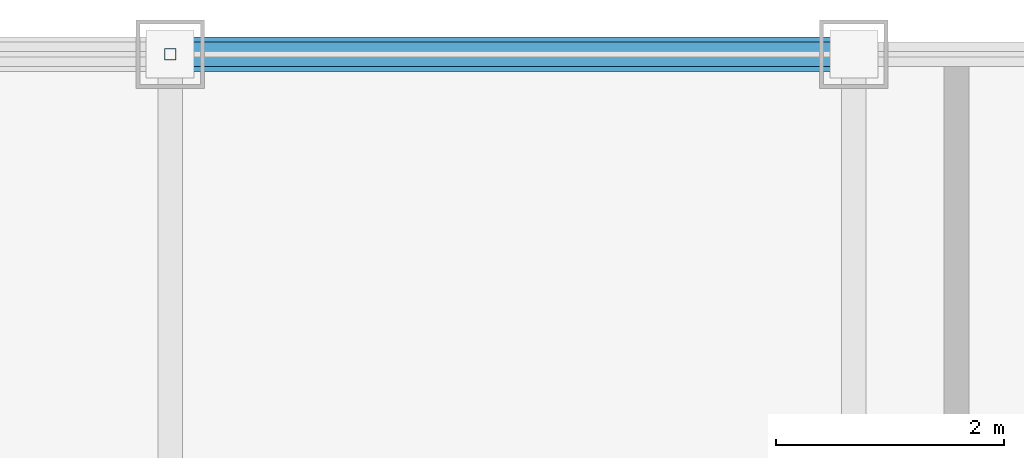
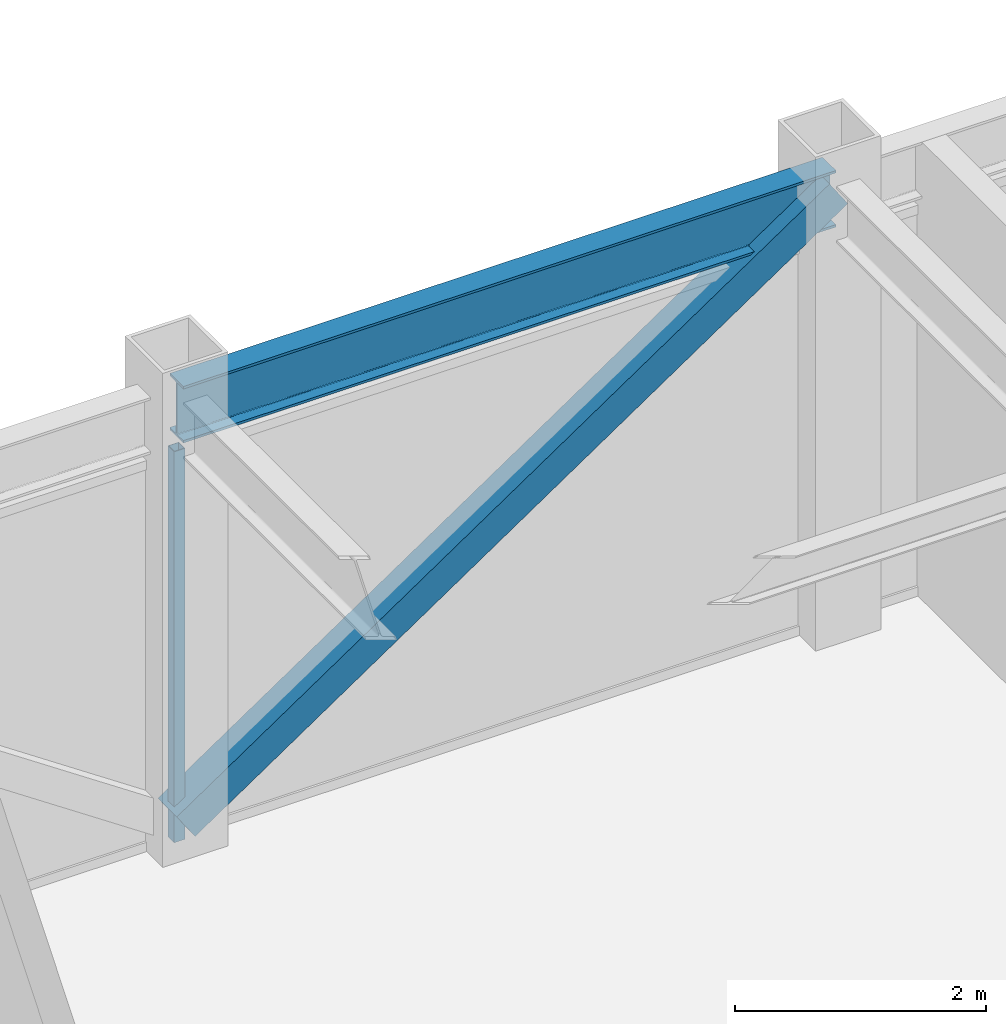
# One storey, part 18 of 27: 2 members, 1 beam, 1 element without a shape of its own.
"""IFC4 building model written with IfcOpenShell, lengths in metres."""

from ifc_helpers import new_model, si_unit, direction, frame, origin, origin_2d, place, context, subcontext, project, spatial, hollow_rectangle, i_section, extrude, source, transform, mapped, material, material_profile, profile_set, type_object, element, aggregate, save


model = new_model("IFC4")

# Units and contexts
model_context = context("Model", 3, precision=1e-05, world=origin(), true_north=direction((0.0, 1.0)))
body_context = subcontext(model_context, "Body", "Model", "MODEL_VIEW")
ifc_project = project(units=[si_unit("LENGTHUNIT", "METRE"), si_unit("AREAUNIT", "SQUARE_METRE"), si_unit("VOLUMEUNIT", "CUBIC_METRE"), si_unit("PLANEANGLEUNIT", "RADIAN"), si_unit("MASSUNIT", "GRAM", prefix="KILO")], contexts=[model_context])

# Site, building, storey
site_placement = place(None, origin())
site = spatial("IfcSite", under=ifc_project, at=site_placement, CompositionType="ELEMENT")
building_placement = place(site_placement, origin())
building = spatial("IfcBuilding", under=site, at=building_placement, Name="Khorayat Bourse Tower", CompositionType="ELEMENT")
storey_placement = place(building_placement, frame((0.0, 0.0, 394.699951171875)))
storey = spatial("IfcBuildingStorey", under=building, at=storey_placement, Name="L93", CompositionType="ELEMENT", Elevation=394.699951171875)

# Beam
ifc_material_1 = material(Name="Steel ASTM A992 Grade 50", Category="steel")
ifc_material_profile_1 = material_profile(ifc_material_1, i_section(OverallWidth=0.214111328125, OverallDepth=0.549072265625, WebThickness=0.0146484375, FlangeThickness=0.023681640625, FilletRadius=0.013916015625, at=origin_2d()), Name="W530X138")
ifc_profile_set_1 = profile_set([ifc_material_profile_1], Name="Steel ASTM A992 Grade 50")
beam_type = type_object("IfcBeamType", Name="BM-SPAN-530", PredefinedType="SPANDREL", material=ifc_profile_set_1)
shared_shape_1 = source(origin(), body_context, "Body", "SweptSolid", [
    extrude(i_section(OverallWidth=0.214111328125, OverallDepth=0.549072265625, WebThickness=0.0146484375, FlangeThickness=0.023681640625, FilletRadius=0.013916015625, at=origin_2d()), origin(), (0.0, 0.0, 1.0), 6.0),
])
beam_placement = place(storey_placement, frame((0.0, 24.0, 4.175537109375), z_axis=(1.0, 0.0, 0.0), x_axis=(0.0, 1.0, 0.0)))
element("IfcBeam", 1, at=beam_placement, inside=storey, type_object=beam_type, Name="L93 BM-SPAN-530 BM-L93-SPN-042", PredefinedType="SPANDREL", context=body_context, shape_type="MappedRepresentation", body=[
    mapped(shared_shape_1, transform((0.0, 0.0, 0.0), scale=1.0)),
])

# Member
ifc_material_2 = material(Name="Steel EN 10025-2 S355J2", Category="steel")
ifc_material_profile_2 = material_profile(ifc_material_2, hollow_rectangle(XDim=0.300048828125, YDim=0.300048828125, WallThickness=0.01611328125, at=origin_2d()), Name="HSS 300x300x16")
ifc_profile_set_2 = profile_set([ifc_material_profile_2], Name="Steel EN 10025-2 S355J2")
member_type_1 = type_object("IfcMemberType", Name="MBR-CROWN-300", PredefinedType="USERDEFINED", material=ifc_profile_set_2)
shared_shape_2 = source(origin(), body_context, "Body", "SweptSolid", [
    extrude(hollow_rectangle(XDim=0.300048828125, YDim=0.300048828125, WallThickness=0.01611328125, at=origin_2d()), origin(), (0.0, 0.0, 1.0), 7.239013671875),
])
member_1_placement = place(storey_placement, frame((0.0, 24.0, 0.199951171875), z_axis=(0.828845546207, 0.0, 0.559477488852), x_axis=(0.0, 1.0, 0.0)))
element("IfcMember", 2, at=member_1_placement, inside=storey, type_object=member_type_1, Name="L93 Lantern Crown Frame Member 07", ObjectType="CROWN FRAME", PredefinedType="USERDEFINED", context=body_context, shape_type="MappedRepresentation", body=[
    mapped(shared_shape_2, transform((0.0, 0.0, 0.0), scale=1.0)),
])

# Curtain wall, member
ifc_material_3 = material(Name="Aluminium EN AW-6063 T6", Category="aluminium")
curtain_wall_type = type_object("IfcCurtainWallType", Name="CW-SYS-07", PredefinedType="NOTDEFINED", material=ifc_material_3)
curtain_wall_placement = place(storey_placement, origin())
curtain_wall = element("IfcCurtainWall", 3, at=curtain_wall_placement, inside=storey, type_object=curtain_wall_type, Name="L93 Curtain Wall CW-L93-N1", PredefinedType="NOTDEFINED")
ifc_material_profile_3 = material_profile(ifc_material_3, hollow_rectangle(XDim=0.10009765625, YDim=0.10009765625, WallThickness=0.0048828125, at=origin_2d()), Name="ALU 100x100x5")
ifc_profile_set_3 = profile_set([ifc_material_profile_3], Name="Aluminium EN AW-6063 T6")
member_type_2 = type_object("IfcMemberType", Name="CWM-LANTERN-100", PredefinedType="MULLION", material=ifc_profile_set_3)
shared_shape_3 = source(origin(), body_context, "Body", "SweptSolid", [
    extrude(hollow_rectangle(XDim=0.10009765625, YDim=0.10009765625, WallThickness=0.0048828125, at=origin_2d()), origin(), (0.0, 0.0, 1.0), 3.800048828125),
])
member_2_placement = place(storey_placement, frame((0.0, 24.0, 0.0), z_axis=(0.0, 0.0, 1.0), x_axis=(0.0, 1.0, 0.0)))
member_2 = element("IfcMember", 4, at=member_2_placement, type_object=member_type_2, Name="CW-L93-N1 Vertical Mullion 2", PredefinedType="MULLION", context=body_context, shape_type="MappedRepresentation", body=[
    mapped(shared_shape_3, transform((0.0, 0.0, 0.0), scale=1.0)),
])
aggregate(curtain_wall, [member_2])

save(model, "model.ifc")
